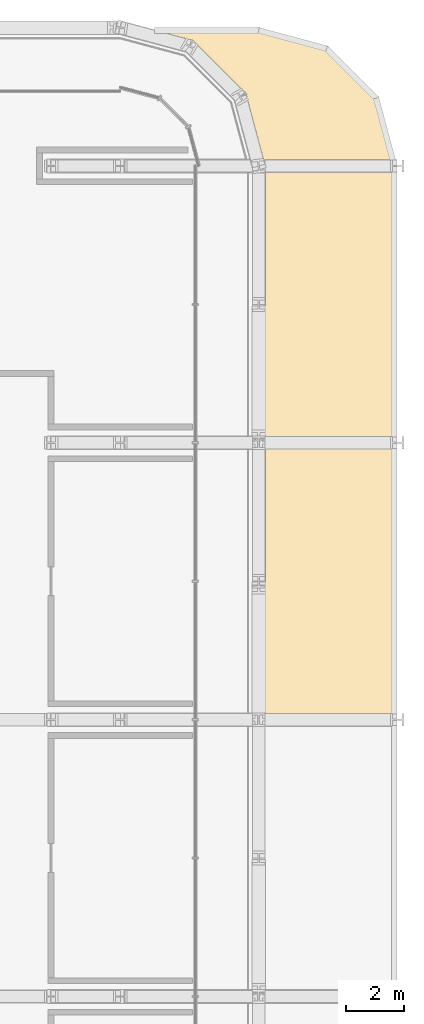
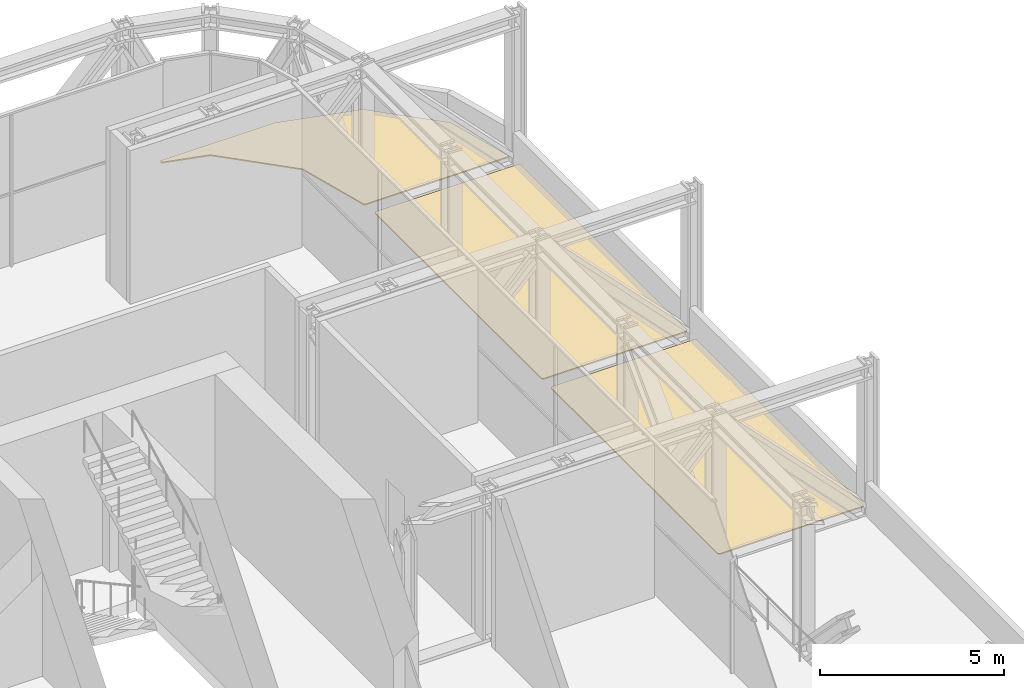
# One storey, part 25 of 25: 3 coverings.
"""IFC4 building model written with IfcOpenShell, lengths in metres."""

from ifc_helpers import new_model, si_unit, direction, frame, origin, place, context, subcontext, project, spatial, polyline, outline, extrude, material, layer, layer_set, type_object, element, save


model = new_model("IFC4")

# Units and contexts
model_context = context("Model", 3, precision=1e-05, world=origin(), true_north=direction((0.0, 1.0)))
body_context = subcontext(model_context, "Body", "Model", "MODEL_VIEW")
ifc_project = project(units=[si_unit("LENGTHUNIT", "METRE"), si_unit("AREAUNIT", "SQUARE_METRE"), si_unit("VOLUMEUNIT", "CUBIC_METRE"), si_unit("PLANEANGLEUNIT", "RADIAN"), si_unit("MASSUNIT", "GRAM", prefix="KILO")], contexts=[model_context])

# Site, building, storey
site_placement = place(None, origin())
site = spatial("IfcSite", under=ifc_project, at=site_placement, CompositionType="ELEMENT")
building_placement = place(site_placement, origin())
building = spatial("IfcBuilding", under=site, at=building_placement, Name="Madar Terraces", CompositionType="ELEMENT")
storey_placement = place(building_placement, frame((0.0, 0.0, 113.699951171875)))
storey = spatial("IfcBuildingStorey", under=building, at=storey_placement, Name="L29", CompositionType="ELEMENT", Elevation=113.699951171875)

# Coverings
ifc_material = material(Name="Porcelain paving slabs on pedestals")
ifc_layer = layer(ifc_material, 0.0400390625)
ifc_layer_set = layer_set([ifc_layer], Name="Terrace paving 40")
covering_type = type_object("IfcCoveringType", Name="Terrace paving 40", PredefinedType="FLOORING", material=ifc_layer_set)
covering_1_placement = place(storey_placement, origin())
element("IfcCovering", 1, at=covering_1_placement, inside=storey, type_object=covering_type, Name="Terrace paving", PredefinedType="FLOORING", context=body_context, shape_type="SweptSolid", body=[
    extrude(outline(polyline([(62.39892578125, 29.061279296875), (62.397705078125, 29.056396484375), (62.396240234375, 29.0517578125), (62.39404296875, 29.04736328125), (62.3916015625, 29.043212890625), (62.388671875, 29.039306640625), (62.385498046875, 29.03564453125), (62.381591796875, 29.0322265625), (62.377685546875, 29.029296875), (62.37353515625, 29.02685546875), (62.369140625, 29.02490234375), (62.364501953125, 29.023193359375), (62.35986328125, 29.02197265625), (62.35498046875, 29.021240234375), (62.35009765625, 29.02099609375), (57.87109375, 29.02099609375), (57.8662109375, 29.021240234375), (57.861083984375, 29.02197265625), (57.8564453125, 29.023193359375), (57.851806640625, 29.02490234375), (57.847412109375, 29.02685546875), (57.84326171875, 29.029296875), (57.83935546875, 29.0322265625), (57.835693359375, 29.03564453125), (57.832275390625, 29.039306640625), (57.829345703125, 29.043212890625), (57.826904296875, 29.04736328125), (57.82470703125, 29.0517578125), (57.822998046875, 29.056396484375), (57.822021484375, 29.061279296875), (57.8212890625, 29.066162109375), (57.821044921875, 29.071044921875), (57.821044921875, 38.12890625), (57.8212890625, 38.1337890625), (57.822021484375, 38.138916015625), (57.822998046875, 38.1435546875), (57.82470703125, 38.148193359375), (57.826904296875, 38.152587890625), (57.829345703125, 38.15673828125), (57.832275390625, 38.16064453125), (57.835693359375, 38.164306640625), (57.83935546875, 38.167724609375), (57.84326171875, 38.170654296875), (57.847412109375, 38.173095703125), (57.851806640625, 38.17529296875), (57.8564453125, 38.177001953125), (57.861083984375, 38.177978515625), (57.8662109375, 38.1787109375), (57.87109375, 38.178955078125), (62.35009765625, 38.178955078125), (62.35498046875, 38.1787109375), (62.35986328125, 38.177978515625), (62.364501953125, 38.177001953125), (62.369140625, 38.17529296875), (62.37353515625, 38.173095703125), (62.377685546875, 38.170654296875), (62.381591796875, 38.167724609375), (62.385498046875, 38.164306640625), (62.388671875, 38.16064453125), (62.3916015625, 38.15673828125), (62.39404296875, 38.152587890625), (62.396240234375, 38.148193359375), (62.397705078125, 38.1435546875), (62.39892578125, 38.138916015625), (62.39990234375, 38.1337890625), (62.39990234375, 38.12890625), (62.39990234375, 29.071044921875), (62.39990234375, 29.066162109375), (62.39892578125, 29.061279296875)])), origin(), (0.0, 0.0, 1.0), 0.0400390625),
])
covering_2_placement = place(storey_placement, origin())
element("IfcCovering", 2, at=covering_2_placement, inside=storey, type_object=covering_type, Name="Terrace paving", PredefinedType="FLOORING", context=body_context, shape_type="SweptSolid", body=[
    extrude(outline(polyline([(62.397705078125, 38.656494140625), (62.396240234375, 38.65185546875), (62.39404296875, 38.6474609375), (62.3916015625, 38.643310546875), (62.388671875, 38.639404296875), (62.385498046875, 38.635498046875), (62.381591796875, 38.63232421875), (62.377685546875, 38.62939453125), (62.37353515625, 38.626953125), (62.369140625, 38.624755859375), (62.364501953125, 38.623046875), (62.35986328125, 38.621826171875), (62.35498046875, 38.62109375), (62.35009765625, 38.62109375), (57.87109375, 38.62109375), (57.8662109375, 38.62109375), (57.861083984375, 38.621826171875), (57.8564453125, 38.623046875), (57.851806640625, 38.624755859375), (57.847412109375, 38.626953125), (57.84326171875, 38.62939453125), (57.83935546875, 38.63232421875), (57.835693359375, 38.635498046875), (57.832275390625, 38.639404296875), (57.829345703125, 38.643310546875), (57.826904296875, 38.6474609375), (57.82470703125, 38.65185546875), (57.822998046875, 38.656494140625), (57.822021484375, 38.6611328125), (57.8212890625, 38.666015625), (57.821044921875, 38.6708984375), (57.821044921875, 47.72900390625), (57.8212890625, 47.73388671875), (57.822021484375, 47.73876953125), (57.822998046875, 47.743408203125), (57.82470703125, 47.748291015625), (57.826904296875, 47.752685546875), (57.829345703125, 47.7568359375), (57.832275390625, 47.7607421875), (57.835693359375, 47.764404296875), (57.83935546875, 47.767578125), (57.84326171875, 47.7705078125), (57.847412109375, 47.773193359375), (57.851806640625, 47.775146484375), (57.8564453125, 47.77685546875), (57.861083984375, 47.778076171875), (57.8662109375, 47.77880859375), (57.87109375, 47.779052734375), (62.35009765625, 47.779052734375), (62.35498046875, 47.77880859375), (62.35986328125, 47.778076171875), (62.364501953125, 47.77685546875), (62.369140625, 47.775146484375), (62.37353515625, 47.773193359375), (62.377685546875, 47.7705078125), (62.381591796875, 47.767578125), (62.385498046875, 47.764404296875), (62.388671875, 47.7607421875), (62.3916015625, 47.7568359375), (62.39404296875, 47.752685546875), (62.396240234375, 47.748291015625), (62.397705078125, 47.743408203125), (62.39892578125, 47.73876953125), (62.39990234375, 47.73388671875), (62.39990234375, 47.72900390625), (62.39990234375, 38.6708984375), (62.39990234375, 38.666015625), (62.39892578125, 38.6611328125), (62.397705078125, 38.656494140625)])), origin(), (0.0, 0.0, 1.0), 0.0400390625),
])
covering_3_placement = place(storey_placement, origin())
element("IfcCovering", 3, at=covering_3_placement, inside=storey, type_object=covering_type, Name="Terrace paving", PredefinedType="FLOORING", context=body_context, shape_type="SweptSolid", body=[
    extrude(outline(polyline([(54.015869140625, 52.703125), (54.011474609375, 52.705078125), (54.007080078125, 52.70751953125), (54.0029296875, 52.71044921875), (53.999267578125, 52.713623046875), (53.995849609375, 52.71728515625), (53.99267578125, 52.72119140625), (53.989990234375, 52.725341796875), (53.98779296875, 52.729736328125), (53.986083984375, 52.734619140625), (53.98486328125, 52.7392578125), (53.98388671875, 52.744140625), (53.983642578125, 52.7490234375), (53.98388671875, 52.754150390625), (53.984375, 52.759033203125), (53.985595703125, 52.763916015625), (53.987060546875, 52.7685546875), (53.9892578125, 52.77294921875), (53.99169921875, 52.77734375), (53.99462890625, 52.78125), (53.997802734375, 52.784912109375), (54.001708984375, 52.788330078125), (54.005615234375, 52.79150390625), (54.009765625, 52.7939453125), (54.01416015625, 52.796142578125), (54.018798828125, 52.7978515625), (54.023681640625, 52.799072265625), (54.028564453125, 52.7998046875), (54.03369140625, 52.800048828125), (57.593505859375, 52.800048828125), (57.597900390625, 52.7998046875), (57.60205078125, 52.79931640625), (57.6064453125, 52.79833984375), (59.987060546875, 52.160400390625), (59.991943359375, 52.15869140625), (59.996826171875, 52.156494140625), (60.00146484375, 52.154052734375), (60.005615234375, 52.15087890625), (60.009521484375, 52.1474609375), (61.747314453125, 50.409423828125), (61.7509765625, 50.405517578125), (61.75390625, 50.4013671875), (61.756591796875, 50.396728515625), (61.7587890625, 50.39208984375), (61.760498046875, 50.38720703125), (62.323974609375, 48.283935546875), (62.324951171875, 48.279296875), (62.325439453125, 48.2744140625), (62.32568359375, 48.26953125), (62.3251953125, 48.264892578125), (62.324462890625, 48.260009765625), (62.322998046875, 48.25537109375), (62.3212890625, 48.2509765625), (62.3193359375, 48.24658203125), (62.316650390625, 48.242431640625), (62.313720703125, 48.23876953125), (62.310546875, 48.235107421875), (62.306884765625, 48.23193359375), (62.302978515625, 48.22900390625), (62.298828125, 48.226806640625), (62.29443359375, 48.224609375), (62.289794921875, 48.22314453125), (62.28515625, 48.221923828125), (62.280517578125, 48.22119140625), (62.275634765625, 48.220947265625), (57.807861328125, 48.220947265625), (57.802978515625, 48.22119140625), (57.7978515625, 48.221923828125), (57.793212890625, 48.22314453125), (57.788330078125, 48.22509765625), (57.78369140625, 48.227294921875), (57.779541015625, 48.229736328125), (57.775390625, 48.23291015625), (57.77197265625, 48.236328125), (57.7685546875, 48.239990234375), (57.765625, 48.244384765625), (57.76318359375, 48.24853515625), (57.76123046875, 48.253173828125), (57.759521484375, 48.258056640625), (57.155517578125, 50.51318359375), (57.155029296875, 50.514404296875), (57.154052734375, 50.515380859375), (55.315185546875, 52.35400390625), (55.314453125, 52.35498046875), (55.31298828125, 52.35546875), (54.0205078125, 52.70166015625), (54.015869140625, 52.703125)])), origin(), (0.0, 0.0, 1.0), 0.0400390625),
])

save(model, "model.ifc")
